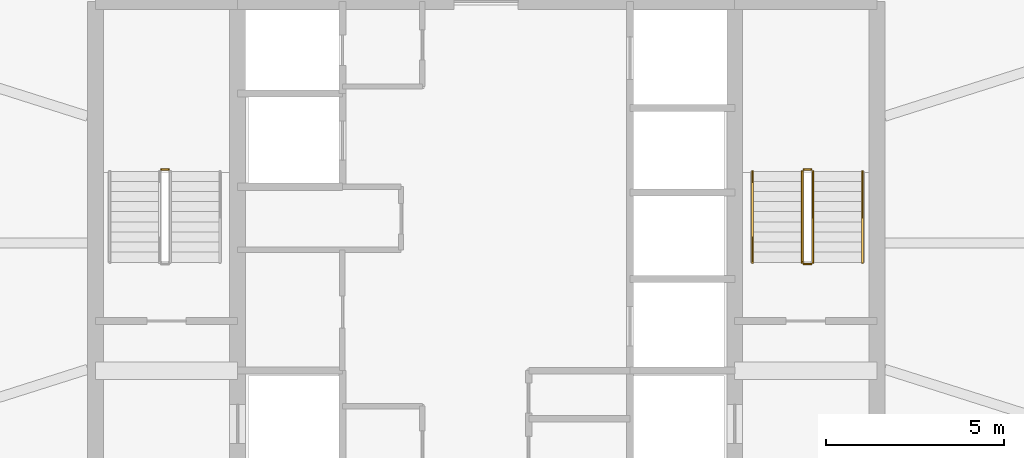
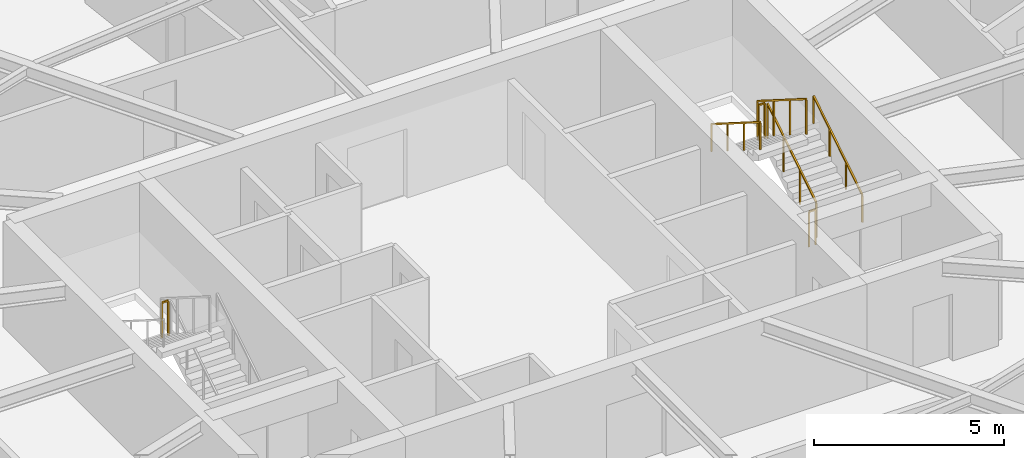
# One storey, part 27 of 27: 7 railings.
"""IFC4 building model written with IfcOpenShell, lengths in metres."""

from ifc_helpers import new_model, si_unit, direction, frame, origin, origin_2d, place, context, subcontext, project, spatial, rectangle, extrude, material, type_object, element, save


model = new_model("IFC4")

# Units and contexts
model_context = context("Model", 3, precision=1e-05, world=origin(), true_north=direction((0.0, 1.0)))
body_context = subcontext(model_context, "Body", "Model", "MODEL_VIEW")
ifc_project = project(units=[si_unit("LENGTHUNIT", "METRE"), si_unit("AREAUNIT", "SQUARE_METRE"), si_unit("VOLUMEUNIT", "CUBIC_METRE"), si_unit("PLANEANGLEUNIT", "RADIAN"), si_unit("MASSUNIT", "GRAM", prefix="KILO")], contexts=[model_context])

# Site, building, storey
site_placement = place(None, origin())
site = spatial("IfcSite", under=ifc_project, at=site_placement, CompositionType="ELEMENT")
building_placement = place(site_placement, origin())
building = spatial("IfcBuilding", under=site, at=building_placement, Name="Sarneth Arch Tower", CompositionType="ELEMENT")
storey_placement = place(building_placement, frame((0.0, 0.0, 150.60009765625)))
storey = spatial("IfcBuildingStorey", under=building, at=storey_placement, Name="L37", CompositionType="ELEMENT", Elevation=150.60009765625)

# Railings
ifc_material_1 = material(Name="Brushed Stainless Steel 304 tubular handrail", Category="steel")
railing_type_1 = type_object("IfcRailingType", Name="RAIL-HANDRAIL-900", PredefinedType="HANDRAIL", material=ifc_material_1)
railing_1_placement = place(storey_placement, frame((58.60009765625, 41.449951171875, 0.179931640625)))
element("IfcRailing", 1, at=railing_1_placement, inside=storey, type_object=railing_type_1, Name="L37 ST-2 stair handrail 1", PredefinedType="HANDRAIL", context=body_context, shape_type="SweptSolid", body=[
    extrude(rectangle(XDim=0.048095703125, YDim=0.048095703125, at=origin_2d()), frame((0.0, 0.0, 0.8759765625), z_axis=(0.0, 0.845502289212, 0.533971796014), x_axis=(-1.0, 0.0, 0.0)), (0.0, 0.0, 1.0), 3.03369140625),
    extrude(rectangle(XDim=0.0419921875, YDim=0.0419921875, at=origin_2d()), origin(), (0.0, 0.0, 1.0), 0.851806640625),
    extrude(rectangle(XDim=0.0419921875, YDim=0.0419921875, at=origin_2d()), frame((0.0, 0.85498046875, 0.5400390625)), (0.0, 0.0, 1.0), 0.851806640625),
    extrude(rectangle(XDim=0.0419921875, YDim=0.0419921875, at=origin_2d()), frame((0.0, 1.7099609375, 1.079833984375)), (0.0, 0.0, 1.0), 0.851806640625),
    extrude(rectangle(XDim=0.0419921875, YDim=0.0419921875, at=origin_2d()), frame((0.0, 2.56494140625, 1.619873046875)), (0.0, 0.0, 1.0), 0.851806640625),
])
railing_2_placement = place(storey_placement, frame((55.5, 44.014892578125, 1.97998046875)))
element("IfcRailing", 2, at=railing_2_placement, inside=storey, type_object=railing_type_1, Name="L37 ST-2 stair handrail 2", PredefinedType="HANDRAIL", context=body_context, shape_type="SweptSolid", body=[
    extrude(rectangle(XDim=0.048095703125, YDim=0.048095703125, at=origin_2d()), frame((0.0, 0.0, 0.8759765625), z_axis=(0.0, -0.845502289212, 0.533971796014), x_axis=(1.0, 0.0, 0.0)), (0.0, 0.0, 1.0), 3.03369140625),
    extrude(rectangle(XDim=0.0419921875, YDim=0.0419921875, at=origin_2d()), origin(), (0.0, 0.0, 1.0), 0.851806640625),
    extrude(rectangle(XDim=0.0419921875, YDim=0.0419921875, at=origin_2d()), frame((0.0, -0.85498046875, 0.5400390625)), (0.0, 0.0, 1.0), 0.851806640625),
    extrude(rectangle(XDim=0.0419921875, YDim=0.0419921875, at=origin_2d()), frame((0.0, -1.7099609375, 1.079833984375)), (0.0, 0.0, 1.0), 0.851806640625),
    extrude(rectangle(XDim=0.0419921875, YDim=0.0419921875, at=origin_2d()), frame((0.0, -2.56494140625, 1.619873046875)), (0.0, 0.0, 1.0), 0.851806640625),
])
ifc_material_2 = material(Name="Painted Steel S275 stair well guard", Category="steel")
railing_type_2 = type_object("IfcRailingType", Name="RAIL-STAIR-GUARD", PredefinedType="GUARDRAIL", material=ifc_material_2)
railing_3_placement = place(storey_placement, frame((39.050048828125, 44.06494140625, 1.7998046875)))
element("IfcRailing", 3, at=railing_3_placement, inside=storey, type_object=railing_type_2, Name="L37 ST-1 stair guard 2", PredefinedType="GUARDRAIL", context=body_context, shape_type="SweptSolid", body=[
    extrude(rectangle(XDim=0.048095703125, YDim=0.048095703125, at=origin_2d()), frame((0.0, 0.0, 1.1259765625), z_axis=(-1.0, 0.0, 0.0), x_axis=(0.0, -1.0, 0.0)), (0.0, 0.0, 1.0), 0.199951171875),
    extrude(rectangle(XDim=0.0419921875, YDim=0.0419921875, at=origin_2d()), origin(), (0.0, 0.0, 1.0), 1.101806640625),
    extrude(rectangle(XDim=0.0419921875, YDim=0.0419921875, at=origin_2d()), frame((-0.199951171875, 0.0, 0.0)), (0.0, 0.0, 1.0), 1.101806640625),
])
railing_4_placement = place(storey_placement, frame((57.199951171875, 41.449951171875, 0.179931640625)))
element("IfcRailing", 4, at=railing_4_placement, inside=storey, type_object=railing_type_2, Name="L37 ST-2 stair guard 1", PredefinedType="GUARDRAIL", context=body_context, shape_type="SweptSolid", body=[
    extrude(rectangle(XDim=0.048095703125, YDim=0.048095703125, at=origin_2d()), frame((0.0, 0.0, 1.1259765625), z_axis=(0.0, 0.845502289212, 0.533971796014), x_axis=(-1.0, 0.0, 0.0)), (0.0, 0.0, 1.0), 3.03369140625),
    extrude(rectangle(XDim=0.0419921875, YDim=0.0419921875, at=origin_2d()), origin(), (0.0, 0.0, 1.0), 1.101806640625),
    extrude(rectangle(XDim=0.0419921875, YDim=0.0419921875, at=origin_2d()), frame((0.0, 0.85498046875, 0.5400390625)), (0.0, 0.0, 1.0), 1.101806640625),
    extrude(rectangle(XDim=0.0419921875, YDim=0.0419921875, at=origin_2d()), frame((0.0, 1.7099609375, 1.079833984375)), (0.0, 0.0, 1.0), 1.101806640625),
    extrude(rectangle(XDim=0.0419921875, YDim=0.0419921875, at=origin_2d()), frame((0.0, 2.56494140625, 1.619873046875)), (0.0, 0.0, 1.0), 1.101806640625),
])
railing_5_placement = place(storey_placement, frame((57.14990234375, 44.06494140625, 1.7998046875)))
element("IfcRailing", 5, at=railing_5_placement, inside=storey, type_object=railing_type_2, Name="L37 ST-2 stair guard 2", PredefinedType="GUARDRAIL", context=body_context, shape_type="SweptSolid", body=[
    extrude(rectangle(XDim=0.048095703125, YDim=0.048095703125, at=origin_2d()), frame((0.0, 0.0, 1.1259765625), z_axis=(-1.0, 0.0, 0.0), x_axis=(0.0, -1.0, 0.0)), (0.0, 0.0, 1.0), 0.199951171875),
    extrude(rectangle(XDim=0.0419921875, YDim=0.0419921875, at=origin_2d()), origin(), (0.0, 0.0, 1.0), 1.101806640625),
    extrude(rectangle(XDim=0.0419921875, YDim=0.0419921875, at=origin_2d()), frame((-0.199951171875, 0.0, 0.0)), (0.0, 0.0, 1.0), 1.101806640625),
])
railing_6_placement = place(storey_placement, frame((56.89990234375, 44.014892578125, 1.97998046875)))
element("IfcRailing", 6, at=railing_6_placement, inside=storey, type_object=railing_type_2, Name="L37 ST-2 stair guard 3", PredefinedType="GUARDRAIL", context=body_context, shape_type="SweptSolid", body=[
    extrude(rectangle(XDim=0.048095703125, YDim=0.048095703125, at=origin_2d()), frame((0.0, 0.0, 1.1259765625), z_axis=(0.0, -0.845502289212, 0.533971796014), x_axis=(1.0, 0.0, 0.0)), (0.0, 0.0, 1.0), 3.03369140625),
    extrude(rectangle(XDim=0.0419921875, YDim=0.0419921875, at=origin_2d()), origin(), (0.0, 0.0, 1.0), 1.101806640625),
    extrude(rectangle(XDim=0.0419921875, YDim=0.0419921875, at=origin_2d()), frame((0.0, -0.85498046875, 0.5400390625)), (0.0, 0.0, 1.0), 1.101806640625),
    extrude(rectangle(XDim=0.0419921875, YDim=0.0419921875, at=origin_2d()), frame((0.0, -1.7099609375, 1.079833984375)), (0.0, 0.0, 1.0), 1.101806640625),
    extrude(rectangle(XDim=0.0419921875, YDim=0.0419921875, at=origin_2d()), frame((0.0, -2.56494140625, 1.619873046875)), (0.0, 0.0, 1.0), 1.101806640625),
])
railing_7_placement = place(storey_placement, frame((57.14990234375, 41.39990234375, 0.0)))
element("IfcRailing", 7, at=railing_7_placement, inside=storey, type_object=railing_type_2, Name="L37 ST-2 stair guard 4", PredefinedType="GUARDRAIL", context=body_context, shape_type="SweptSolid", body=[
    extrude(rectangle(XDim=0.048095703125, YDim=0.048095703125, at=origin_2d()), frame((0.0, 0.0, 1.1259765625), z_axis=(-1.0, 0.0, 0.0), x_axis=(0.0, -1.0, 0.0)), (0.0, 0.0, 1.0), 0.199951171875),
    extrude(rectangle(XDim=0.0419921875, YDim=0.0419921875, at=origin_2d()), origin(), (0.0, 0.0, 1.0), 1.101806640625),
    extrude(rectangle(XDim=0.0419921875, YDim=0.0419921875, at=origin_2d()), frame((-0.199951171875, 0.0, 0.0)), (0.0, 0.0, 1.0), 1.101806640625),
])

save(model, "model.ifc")
